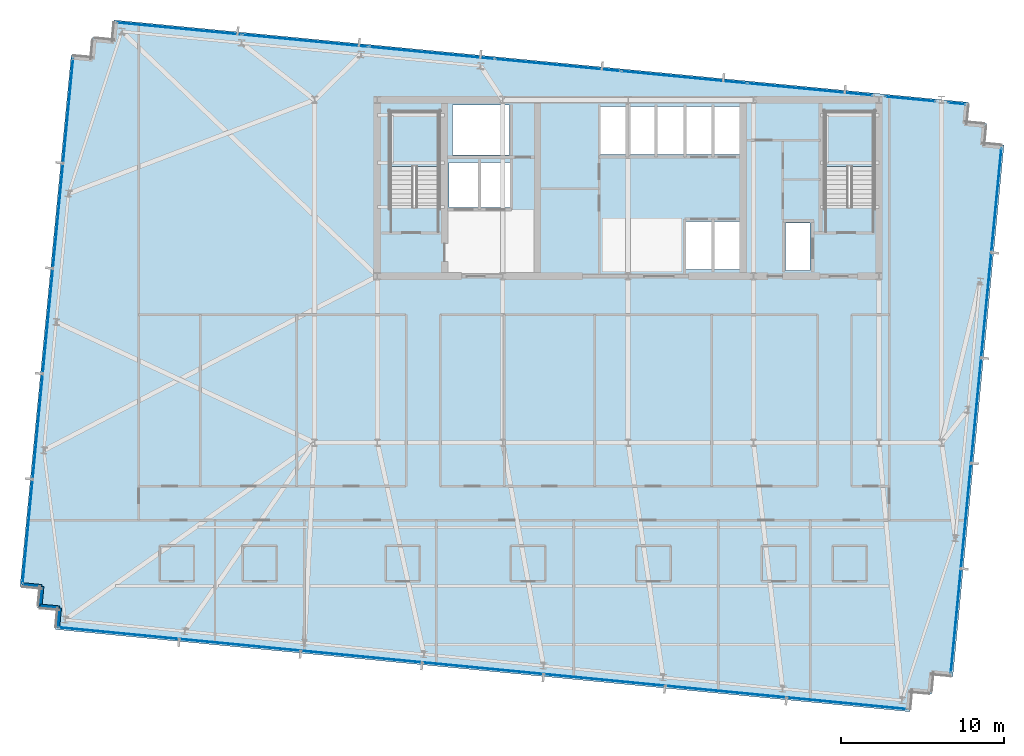
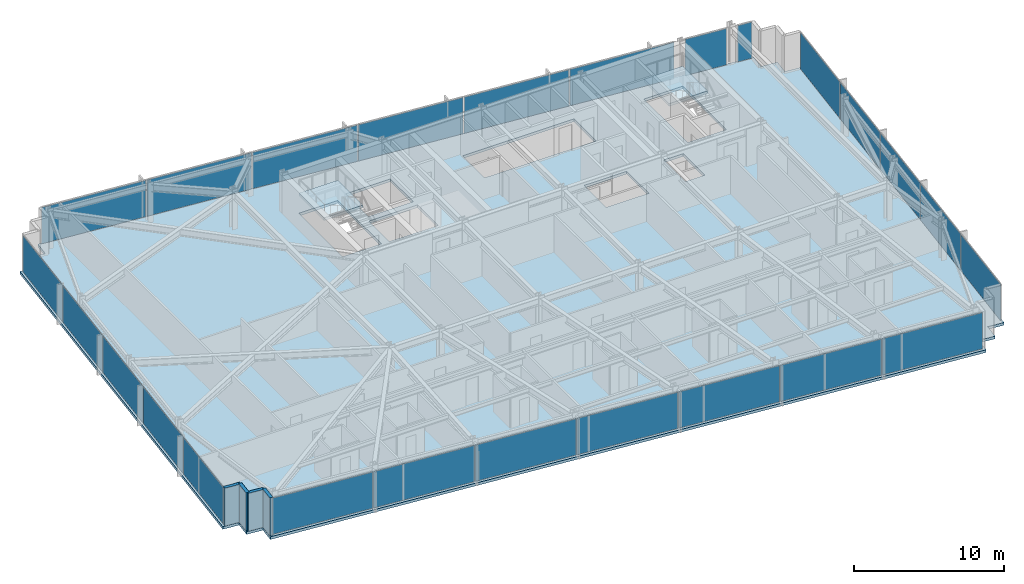
# One storey, part 28 of 38: 25 plates, 4 walls, 3 slabs, 8 elements without a shape of their own.
"""IFC4 building model written with IfcOpenShell, lengths in metres."""

from ifc_helpers import new_model, si_unit, direction, frame, frame_2d, origin, origin_2d, place, context, subcontext, project, spatial, polyline, rectangle, outline, extrude, material, layer, layer_set, type_object, element, aggregate, save


model = new_model("IFC4")

# Units and contexts
model_context = context("Model", 3, precision=1e-05, world=origin(), true_north=direction((0.0, 1.0)))
body_context = subcontext(model_context, "Body", "Model", "MODEL_VIEW")
ifc_project = project(units=[si_unit("LENGTHUNIT", "METRE"), si_unit("AREAUNIT", "SQUARE_METRE"), si_unit("VOLUMEUNIT", "CUBIC_METRE"), si_unit("PLANEANGLEUNIT", "RADIAN"), si_unit("MASSUNIT", "GRAM", prefix="KILO")], contexts=[model_context])

# Site, building, storey
site_placement = place(None, origin())
site = spatial("IfcSite", under=ifc_project, at=site_placement, CompositionType="ELEMENT")
building_placement = place(site_placement, origin())
building = spatial("IfcBuilding", under=site, at=building_placement, Name="Yelkora Congress Tower", CompositionType="ELEMENT")
storey_placement = place(building_placement, frame((0.0, 0.0, 185.300048828125)))
storey = spatial("IfcBuildingStorey", under=building, at=storey_placement, Name="L51", CompositionType="ELEMENT", Elevation=185.300048828125)

# Curtain wall, plates
ifc_material_1 = material(Name="Anodised aluminium and insulated glass", Category="aluminium")
curtain_wall_type = type_object("IfcCurtainWallType", Name="CW-SYS-B3", PredefinedType="NOTDEFINED", material=ifc_material_1)
curtain_wall_1_placement = place(storey_placement, origin())
curtain_wall_1 = element("IfcCurtainWall", 1, at=curtain_wall_1_placement, inside=storey, type_object=curtain_wall_type, Name="L51 Unitised Curtain Wall 5", PredefinedType="NOTDEFINED")
ifc_material_2 = material(Name="Acoustic laminated hotel glass unit B3", Category="glass")
ifc_layer_1 = layer(ifc_material_2, 0.0419921875)
ifc_layer_set_1 = layer_set([ifc_layer_1], Name="Acoustic laminated hotel glass unit B3")
plate_type = type_object("IfcPlateType", Name="PLT-PN-B3", PredefinedType="CURTAIN_PANEL", material=ifc_layer_set_1)
plate_1_placement = place(storey_placement, frame((1.61572265625, 19.75244140625, 0.06005859375), z_axis=(0.0, 0.0, 1.0), x_axis=(0.095845294465, 0.995396242473, 0.0)))
plate_1 = element("IfcPlate", 2, at=plate_1_placement, type_object=plate_type, Name="CW-B3 panel 1.1", PredefinedType="CURTAIN_PANEL", context=body_context, shape_type="SweptSolid", body=[
    extrude(rectangle(XDim=6.37890625, YDim=0.0419921875, at=origin_2d()), origin(), (0.0, 0.0, 1.0), 2.9599609375),
])
plate_2_placement = place(storey_placement, frame((2.235595703125, 26.189208984375, 0.06005859375), z_axis=(0.0, 0.0, 1.0), x_axis=(0.095845294465, 0.995396242473, 0.0)))
plate_2 = element("IfcPlate", 3, at=plate_2_placement, type_object=plate_type, Name="CW-B3 panel 2.1", PredefinedType="CURTAIN_PANEL", context=body_context, shape_type="SweptSolid", body=[
    extrude(rectangle(XDim=6.4140625, YDim=0.0419921875, at=origin_2d()), origin(), (0.0, 0.0, 1.0), 2.9599609375),
])
plate_3_placement = place(storey_placement, frame((2.85693359375, 32.643310546875, 0.06005859375), z_axis=(0.0, 0.0, 1.0), x_axis=(0.095845294465, 0.995396242473, 0.0)))
plate_3 = element("IfcPlate", 4, at=plate_3_placement, type_object=plate_type, Name="CW-B3 panel 3.1", PredefinedType="CURTAIN_PANEL", context=body_context, shape_type="SweptSolid", body=[
    extrude(rectangle(XDim=6.4140625, YDim=0.0419921875, at=origin_2d()), origin(), (0.0, 0.0, 1.0), 2.9599609375),
])
plate_4_placement = place(storey_placement, frame((3.478515625, 39.097412109375, 0.06005859375), z_axis=(0.0, 0.0, 1.0), x_axis=(0.095845294465, 0.995396242473, 0.0)))
plate_4 = element("IfcPlate", 5, at=plate_4_placement, type_object=plate_type, Name="CW-B3 panel 4.1", PredefinedType="CURTAIN_PANEL", context=body_context, shape_type="SweptSolid", body=[
    extrude(rectangle(XDim=6.4140625, YDim=0.0419921875, at=origin_2d()), origin(), (0.0, 0.0, 1.0), 2.9599609375),
])
plate_5_placement = place(storey_placement, frame((4.09814453125, 45.5341796875, 0.06005859375), z_axis=(0.0, 0.0, 1.0), x_axis=(0.095845294465, 0.995396242473, 0.0)))
plate_5 = element("IfcPlate", 6, at=plate_5_placement, type_object=plate_type, Name="CW-B3 panel 5.1", PredefinedType="CURTAIN_PANEL", context=body_context, shape_type="SweptSolid", body=[
    extrude(rectangle(XDim=6.37890625, YDim=0.0419921875, at=origin_2d()), origin(), (0.0, 0.0, 1.0), 2.9599609375),
])
aggregate(curtain_wall_1, [plate_1, plate_2, plate_3, plate_4, plate_5])

curtain_wall_2_placement = place(storey_placement, origin())
curtain_wall_2 = element("IfcCurtainWall", 7, at=curtain_wall_2_placement, inside=storey, type_object=curtain_wall_type, Name="L51 Unitised Curtain Wall 10 (1)", PredefinedType="NOTDEFINED")
plate_6_placement = place(storey_placement, frame((10.913818359375, 50.5634765625, 0.06005859375), z_axis=(0.0, 0.0, 1.0), x_axis=(0.995396293823, -0.095844761168, 0.0)))
plate_6 = element("IfcPlate", 8, at=plate_6_placement, type_object=plate_type, Name="CW-B3 panel 1.1", PredefinedType="CURTAIN_PANEL", context=body_context, shape_type="SweptSolid", body=[
    extrude(rectangle(XDim=7.664306640625, YDim=0.0419921875, at=origin_2d()), origin(), (0.0, 0.0, 1.0), 2.9599609375),
])
plate_7_placement = place(storey_placement, frame((18.6298828125, 49.820556640625, 0.06005859375), z_axis=(0.0, 0.0, 1.0), x_axis=(0.995396293823, -0.095844761168, 0.0)))
plate_7 = element("IfcPlate", 9, at=plate_7_placement, type_object=plate_type, Name="CW-B3 panel 2.1", PredefinedType="CURTAIN_PANEL", context=body_context, shape_type="SweptSolid", body=[
    extrude(rectangle(XDim=7.69921875, YDim=0.0419921875, at=origin_2d()), origin(), (0.0, 0.0, 1.0), 2.9599609375),
])
plate_8_placement = place(storey_placement, frame((26.363525390625, 49.075927734375, 0.06005859375), z_axis=(0.0, 0.0, 1.0), x_axis=(0.995396293823, -0.095844761168, 0.0)))
plate_8 = element("IfcPlate", 10, at=plate_8_placement, type_object=plate_type, Name="CW-B3 panel 3.1", PredefinedType="CURTAIN_PANEL", context=body_context, shape_type="SweptSolid", body=[
    extrude(rectangle(XDim=7.69921875, YDim=0.0419921875, at=origin_2d()), origin(), (0.0, 0.0, 1.0), 2.9599609375),
])
plate_9_placement = place(storey_placement, frame((34.09716796875, 48.331298828125, 0.06005859375), z_axis=(0.0, 0.0, 1.0), x_axis=(0.995396293823, -0.095844761168, 0.0)))
plate_9 = element("IfcPlate", 11, at=plate_9_placement, type_object=plate_type, Name="CW-B3 panel 4.1", PredefinedType="CURTAIN_PANEL", context=body_context, shape_type="SweptSolid", body=[
    extrude(rectangle(XDim=7.69921875, YDim=0.0419921875, at=origin_2d()), origin(), (0.0, 0.0, 1.0), 2.9599609375),
])
plate_10_placement = place(storey_placement, frame((41.83056640625, 47.586669921875, 0.06005859375), z_axis=(0.0, 0.0, 1.0), x_axis=(0.995396293823, -0.095844761168, 0.0)))
plate_10 = element("IfcPlate", 12, at=plate_10_placement, type_object=plate_type, Name="CW-B3 panel 5.1", PredefinedType="CURTAIN_PANEL", context=body_context, shape_type="SweptSolid", body=[
    extrude(rectangle(XDim=7.69921875, YDim=0.0419921875, at=origin_2d()), origin(), (0.0, 0.0, 1.0), 2.9599609375),
])
plate_11_placement = place(storey_placement, frame((49.546875, 46.84375, 0.06005859375), z_axis=(0.0, 0.0, 1.0), x_axis=(0.995396293823, -0.095844761168, 0.0)))
plate_11 = element("IfcPlate", 13, at=plate_11_placement, type_object=plate_type, Name="CW-B3 panel 6.1", PredefinedType="CURTAIN_PANEL", context=body_context, shape_type="SweptSolid", body=[
    extrude(rectangle(XDim=7.664306640625, YDim=0.0419921875, at=origin_2d()), origin(), (0.0, 0.0, 1.0), 2.9599609375),
])
aggregate(curtain_wall_2, [plate_6, plate_7, plate_8, plate_9, plate_10, plate_11])

# Curtain wall, plate
curtain_wall_3_placement = place(storey_placement, origin())
curtain_wall_3 = element("IfcCurtainWall", 14, at=curtain_wall_3_placement, inside=storey, type_object=curtain_wall_type, Name="L51 Unitised Curtain Wall 10 (2)", PredefinedType="NOTDEFINED")
plate_12_placement = place(storey_placement, frame((55.679931640625, 46.253173828125, 0.06005859375), z_axis=(0.0, 0.0, 1.0), x_axis=(0.995395952188, -0.095848309157, 0.0)))
plate_12 = element("IfcPlate", 15, at=plate_12_placement, type_object=plate_type, Name="CW-B3 panel 1.1", PredefinedType="CURTAIN_PANEL", context=body_context, shape_type="SweptSolid", body=[
    extrude(rectangle(XDim=3.056640625, YDim=0.0419921875, at=origin_2d()), origin(), (0.0, 0.0, 1.0), 2.9599609375),
])
aggregate(curtain_wall_3, [plate_12])

curtain_wall_4_placement = place(storey_placement, origin())
curtain_wall_4 = element("IfcCurtainWall", 16, at=curtain_wall_4_placement, inside=storey, type_object=curtain_wall_type, Name="L51 Unitised Curtain Wall 10 (3)", PredefinedType="NOTDEFINED")
plate_13_placement = place(storey_placement, frame((58.518798828125, 45.979736328125, 0.06005859375), z_axis=(0.0, 0.0, 1.0), x_axis=(0.995395569658, -0.095852281686, 0.0)))
plate_13 = element("IfcPlate", 17, at=plate_13_placement, type_object=plate_type, Name="CW-B3 panel 1.1", PredefinedType="CURTAIN_PANEL", context=body_context, shape_type="SweptSolid", body=[
    extrude(rectangle(XDim=1.045166015625, YDim=0.0419921875, at=origin_2d()), origin(), (0.0, 0.0, 1.0), 2.9599609375),
])
aggregate(curtain_wall_4, [plate_13])

# Curtain wall, plates
curtain_wall_5_placement = place(storey_placement, origin())
curtain_wall_5 = element("IfcCurtainWall", 18, at=curtain_wall_5_placement, inside=storey, type_object=curtain_wall_type, Name="L51 Unitised Curtain Wall 15", PredefinedType="NOTDEFINED")
plate_14_placement = place(storey_placement, frame((60.955322265625, 40.0595703125, 0.06005859375), z_axis=(0.0, 0.0, 1.0), x_axis=(-0.095841944023, -0.995396565076, 0.0)))
plate_14 = element("IfcPlate", 19, at=plate_14_placement, type_object=plate_type, Name="CW-B3 panel 1.1", PredefinedType="CURTAIN_PANEL", context=body_context, shape_type="SweptSolid", body=[
    extrude(rectangle(XDim=6.37890625, YDim=0.0419921875, at=origin_2d()), origin(), (0.0, 0.0, 1.0), 2.9599609375),
])
plate_15_placement = place(storey_placement, frame((60.33544921875, 33.622802734375, 0.06005859375), z_axis=(0.0, 0.0, 1.0), x_axis=(-0.095841944023, -0.995396565076, 0.0)))
plate_15 = element("IfcPlate", 20, at=plate_15_placement, type_object=plate_type, Name="CW-B3 panel 2.1", PredefinedType="CURTAIN_PANEL", context=body_context, shape_type="SweptSolid", body=[
    extrude(rectangle(XDim=6.4140625, YDim=0.0419921875, at=origin_2d()), origin(), (0.0, 0.0, 1.0), 2.9599609375),
])
plate_16_placement = place(storey_placement, frame((59.714111328125, 27.168701171875, 0.06005859375), z_axis=(0.0, 0.0, 1.0), x_axis=(-0.095841944023, -0.995396565076, 0.0)))
plate_16 = element("IfcPlate", 21, at=plate_16_placement, type_object=plate_type, Name="CW-B3 panel 3.1", PredefinedType="CURTAIN_PANEL", context=body_context, shape_type="SweptSolid", body=[
    extrude(rectangle(XDim=6.4140625, YDim=0.0419921875, at=origin_2d()), origin(), (0.0, 0.0, 1.0), 2.9599609375),
])
plate_17_placement = place(storey_placement, frame((59.092529296875, 20.71435546875, 0.06005859375), z_axis=(0.0, 0.0, 1.0), x_axis=(-0.095841944023, -0.995396565076, 0.0)))
plate_17 = element("IfcPlate", 22, at=plate_17_placement, type_object=plate_type, Name="CW-B3 panel 4.1", PredefinedType="CURTAIN_PANEL", context=body_context, shape_type="SweptSolid", body=[
    extrude(rectangle(XDim=6.4140625, YDim=0.0419921875, at=origin_2d()), origin(), (0.0, 0.0, 1.0), 2.9599609375),
])
plate_18_placement = place(storey_placement, frame((58.472900390625, 14.277587890625, 0.06005859375), z_axis=(0.0, 0.0, 1.0), x_axis=(-0.095841944023, -0.995396565076, 0.0)))
plate_18 = element("IfcPlate", 23, at=plate_18_placement, type_object=plate_type, Name="CW-B3 panel 5.1", PredefinedType="CURTAIN_PANEL", context=body_context, shape_type="SweptSolid", body=[
    extrude(rectangle(XDim=6.37890625, YDim=0.0419921875, at=origin_2d()), origin(), (0.0, 0.0, 1.0), 2.9599609375),
])
aggregate(curtain_wall_5, [plate_14, plate_15, plate_16, plate_17, plate_18])

curtain_wall_6_placement = place(storey_placement, origin())
curtain_wall_6 = element("IfcCurtainWall", 24, at=curtain_wall_6_placement, inside=storey, type_object=curtain_wall_type, Name="L51 Unitised Curtain Wall 20", PredefinedType="NOTDEFINED")
plate_19_placement = place(storey_placement, frame((51.803955078125, 9.234130859375, 0.06005859375), z_axis=(0.0, 0.0, 1.0), x_axis=(-0.995396301573, 0.095844680679, 0.0)))
plate_19 = element("IfcPlate", 25, at=plate_19_placement, type_object=plate_type, Name="CW-B3 panel 1.1", PredefinedType="CURTAIN_PANEL", context=body_context, shape_type="SweptSolid", body=[
    extrude(rectangle(XDim=7.369384765625, YDim=0.0419921875, at=origin_2d()), origin(), (0.0, 0.0, 1.0), 2.9599609375),
])
plate_20_placement = place(storey_placement, frame((44.381591796875, 9.948974609375, 0.06005859375), z_axis=(0.0, 0.0, 1.0), x_axis=(-0.995396301573, 0.095844680679, 0.0)))
plate_20 = element("IfcPlate", 26, at=plate_20_placement, type_object=plate_type, Name="CW-B3 panel 2.1", PredefinedType="CURTAIN_PANEL", context=body_context, shape_type="SweptSolid", body=[
    extrude(rectangle(XDim=7.404296875, YDim=0.0419921875, at=origin_2d()), origin(), (0.0, 0.0, 1.0), 2.9599609375),
])
plate_21_placement = place(storey_placement, frame((36.941650390625, 10.665283203125, 0.06005859375), z_axis=(0.0, 0.0, 1.0), x_axis=(-0.995396301573, 0.095844680679, 0.0)))
plate_21 = element("IfcPlate", 27, at=plate_21_placement, type_object=plate_type, Name="CW-B3 panel 3.1", PredefinedType="CURTAIN_PANEL", context=body_context, shape_type="SweptSolid", body=[
    extrude(rectangle(XDim=7.404296875, YDim=0.0419921875, at=origin_2d()), origin(), (0.0, 0.0, 1.0), 2.9599609375),
])
plate_22_placement = place(storey_placement, frame((29.501708984375, 11.381591796875, 0.06005859375), z_axis=(0.0, 0.0, 1.0), x_axis=(-0.995396301573, 0.095844680679, 0.0)))
plate_22 = element("IfcPlate", 28, at=plate_22_placement, type_object=plate_type, Name="CW-B3 panel 4.1", PredefinedType="CURTAIN_PANEL", context=body_context, shape_type="SweptSolid", body=[
    extrude(rectangle(XDim=7.404296875, YDim=0.0419921875, at=origin_2d()), origin(), (0.0, 0.0, 1.0), 2.9599609375),
])
plate_23_placement = place(storey_placement, frame((22.06201171875, 12.097900390625, 0.06005859375), z_axis=(0.0, 0.0, 1.0), x_axis=(-0.995396301573, 0.095844680679, 0.0)))
plate_23 = element("IfcPlate", 29, at=plate_23_placement, type_object=plate_type, Name="CW-B3 panel 5.1", PredefinedType="CURTAIN_PANEL", context=body_context, shape_type="SweptSolid", body=[
    extrude(rectangle(XDim=7.404296875, YDim=0.0419921875, at=origin_2d()), origin(), (0.0, 0.0, 1.0), 2.9599609375),
])
plate_24_placement = place(storey_placement, frame((14.6220703125, 12.814453125, 0.06005859375), z_axis=(0.0, 0.0, 1.0), x_axis=(-0.995396301573, 0.095844680679, 0.0)))
plate_24 = element("IfcPlate", 30, at=plate_24_placement, type_object=plate_type, Name="CW-B3 panel 6.1", PredefinedType="CURTAIN_PANEL", context=body_context, shape_type="SweptSolid", body=[
    extrude(rectangle(XDim=7.404296875, YDim=0.0419921875, at=origin_2d()), origin(), (0.0, 0.0, 1.0), 2.9599609375),
])
plate_25_placement = place(storey_placement, frame((7.199462890625, 13.529052734375, 0.06005859375), z_axis=(0.0, 0.0, 1.0), x_axis=(-0.995396301573, 0.095844680679, 0.0)))
plate_25 = element("IfcPlate", 31, at=plate_25_placement, type_object=plate_type, Name="CW-B3 panel 7.1", PredefinedType="CURTAIN_PANEL", context=body_context, shape_type="SweptSolid", body=[
    extrude(rectangle(XDim=7.369384765625, YDim=0.0419921875, at=origin_2d()), origin(), (0.0, 0.0, 1.0), 2.9599609375),
])
aggregate(curtain_wall_6, [plate_19, plate_20, plate_21, plate_22, plate_23, plate_24, plate_25])

# Stair, slab
ifc_material_3 = material(Name="Concrete C40/50", Category="concrete")
stair_type = type_object("IfcStairType", Name="STAIR-HT-1420-R20-165", PredefinedType="HALF_TURN_STAIR", material=ifc_material_3)
stair_1_placement = place(storey_placement, origin())
stair_1 = element("IfcStair", 32, at=stair_1_placement, inside=storey, type_object=stair_type, Name="West Core Protected Exit Stair ST-01 (L51)", PredefinedType="HALF_TURN_STAIR")
ifc_layer_2 = layer(ifc_material_3, 0.219970703125)
ifc_layer_set_2 = layer_set([ifc_layer_2], Name="Concrete C40/50")
slab_type_1 = type_object("IfcSlabType", Name="SLAB-LANDING-220", PredefinedType="LANDING", material=ifc_layer_set_2)
slab_1_placement = place(storey_placement, frame((0.0, 0.0, 1.429931640625)))
slab_1 = element("IfcSlab", 33, at=slab_1_placement, type_object=slab_type_1, Name="ST-01 L51 Half Landing 1", PredefinedType="LANDING", context=body_context, shape_type="SweptSolid", body=[
    extrude(outline(polyline([(26.820068359375, 42.1201171875), (26.820068359375, 45.469970703125), (23.820068359375, 45.469970703125), (23.820068359375, 42.1201171875), (26.820068359375, 42.1201171875)])), origin(), (0.0, 0.0, 1.0), 0.219970703125),
])
aggregate(stair_1, [slab_1])

stair_2_placement = place(storey_placement, origin())
stair_2 = element("IfcStair", 34, at=stair_2_placement, inside=storey, type_object=stair_type, Name="East Core Protected Exit Stair ST-02 (L51)", PredefinedType="HALF_TURN_STAIR")
slab_2_placement = place(storey_placement, frame((0.0, 0.0, 1.429931640625)))
slab_2 = element("IfcSlab", 35, at=slab_2_placement, type_object=slab_type_1, Name="ST-02 L51 Half Landing 1", PredefinedType="LANDING", context=body_context, shape_type="SweptSolid", body=[
    extrude(outline(polyline([(53.4599609375, 42.1201171875), (53.4599609375, 45.469970703125), (50.4599609375, 45.469970703125), (50.4599609375, 42.1201171875), (53.4599609375, 42.1201171875)])), origin(), (0.0, 0.0, 1.0), 0.219970703125),
])
aggregate(stair_2, [slab_2])

# Slab
ifc_layer_3 = layer(ifc_material_3, 0.219970703125)
ifc_layer_set_3 = layer_set([ifc_layer_3], Name="Concrete C40/50")
slab_type_2 = type_object("IfcSlabType", Name="SLAB-TWR-220", PredefinedType="FLOOR", material=ifc_layer_set_3)
slab_3_placement = place(storey_placement, frame((0.0, 0.0, -0.219970703125)))
element("IfcSlab", 36, at=slab_3_placement, inside=storey, type_object=slab_type_2, Name="L51 Structural Floor Slab", PredefinedType="FLOOR", context=body_context, shape_type="SweptSolid", body=[
    extrude(outline(polyline([(3.309326171875, 13.762939453125), (55.667236328125, 8.721435546875), (55.7822265625, 9.916015625), (56.976806640625, 9.801025390625), (57.091796875, 10.99560546875), (58.286376953125, 10.88037109375), (61.42041015625, 43.429931640625), (60.225830078125, 43.544921875), (60.341064453125, 44.739501953125), (59.146484375, 44.8544921875), (59.261474609375, 46.048828125), (6.90380859375, 51.09033203125), (6.78857421875, 49.89599609375), (5.59423828125, 50.010986328125), (5.479248046875, 48.81640625), (4.28466796875, 48.931396484375), (1.150390625, 16.382080078125), (2.344970703125, 16.26708984375), (2.22998046875, 15.072509765625), (3.424560546875, 14.95751953125), (3.309326171875, 13.762939453125)]), holes=[polyline([(23.820068359375, 39.6298828125), (26.820068359375, 39.6298828125), (26.820068359375, 45.469970703125), (23.820068359375, 45.469970703125), (23.820068359375, 39.6298828125)]), polyline([(50.4599609375, 39.6298828125), (53.4599609375, 39.6298828125), (53.4599609375, 45.469970703125), (50.4599609375, 45.469970703125), (50.4599609375, 39.6298828125)]), polyline([(48.050048828125, 35.75), (49.550048828125, 35.75), (49.550048828125, 38.64990234375), (48.050048828125, 38.64990234375), (48.050048828125, 35.75)]), polyline([(36.64990234375, 42.85009765625), (45.25, 42.85009765625), (45.25, 45.800048828125), (36.64990234375, 45.800048828125), (36.64990234375, 42.85009765625)]), polyline([(41.949951171875, 35.800048828125), (45.25, 35.800048828125), (45.25, 38.75), (41.949951171875, 38.75), (41.949951171875, 35.800048828125)]), polyline([(27.419921875, 39.60009765625), (31.179931640625, 39.60009765625), (31.179931640625, 42.35009765625), (27.419921875, 42.35009765625), (27.419921875, 39.60009765625)]), polyline([(27.64990234375, 42.820068359375), (31.1201171875, 42.820068359375), (31.1201171875, 45.8798828125), (27.64990234375, 45.8798828125), (27.64990234375, 42.820068359375)])]), origin(), (0.0, 0.0, 1.0), 0.219970703125),
])

# Walls
ifc_layer_4 = layer(ifc_material_3, 0.239990234375)
ifc_layer_set_4 = layer_set([ifc_layer_4], Name="Concrete C40/50")
wall_type = type_object("IfcWallType", Name="WALL-EXT-LIMESTONE-240", PredefinedType="SOLIDWALL", material=ifc_layer_set_4)
for number, where, z_axis, x_axis, name in (
    (37, (3.462158203125, 13.888916015625, 0.0), (0.0, 0.0, 1.0), (0.096018626938, 0.995379537303, 0.0), "L51 Serrated Corner Limestone Pier 1"),
    (38, (3.577392578125, 15.08349609375, 0.0), (0.0, 0.0, 1.0), (-0.995398960025, 0.095817067274, 0.0), "L51 Serrated Corner Limestone Pier 2"),
):
    element("IfcWall", number, at=place(storey_placement, frame(where, z_axis=z_axis, x_axis=x_axis)), inside=storey, type_object=wall_type, Name=name, PredefinedType="SOLIDWALL", context=body_context, shape_type="SweptSolid", body=[
        extrude(rectangle(XDim=1.2001953125, YDim=0.239990234375, at=frame_2d((0.60009765625, 0.0))), origin(), (0.0, 0.0, 1.0), 3.079833984375),
    ])
wall_1_placement = place(storey_placement, frame((2.3828125, 15.198486328125, 0.0), z_axis=(0.0, 0.0, 1.0), x_axis=(0.095836473879, 0.995397091755, 0.0)))
element("IfcWall", 39, at=wall_1_placement, inside=storey, type_object=wall_type, Name="L51 Serrated Corner Limestone Pier 3", PredefinedType="SOLIDWALL", context=body_context, shape_type="SweptSolid", body=[
    extrude(rectangle(XDim=1.199951171875, YDim=0.239990234375, at=frame_2d((0.60009765625, 0.0))), origin(), (0.0, 0.0, 1.0), 3.079833984375),
])
wall_2_placement = place(storey_placement, frame((2.497802734375, 16.392822265625, 0.0), z_axis=(0.0, 0.0, 1.0), x_axis=(-0.995398960025, 0.095817067274, 0.0)))
element("IfcWall", 40, at=wall_2_placement, inside=storey, type_object=wall_type, Name="L51 Serrated Corner Limestone Pier 4", PredefinedType="SOLIDWALL", context=body_context, shape_type="SweptSolid", body=[
    extrude(rectangle(XDim=1.2001953125, YDim=0.239990234375, at=frame_2d((0.60009765625, 0.0))), origin(), (0.0, 0.0, 1.0), 3.079833984375),
])

save(model, "model.ifc")
